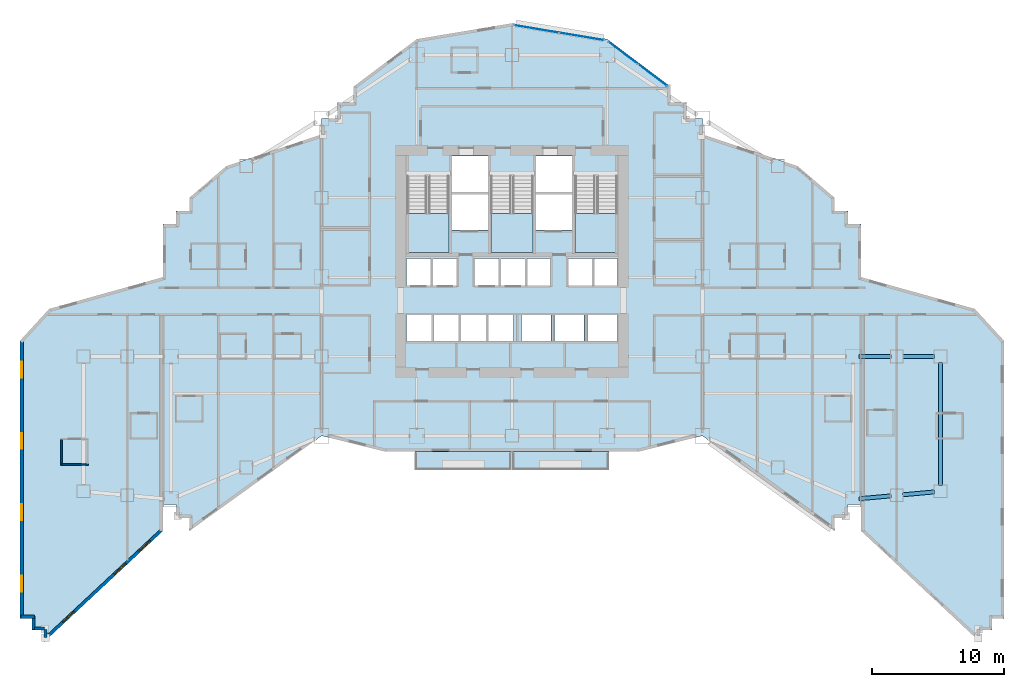
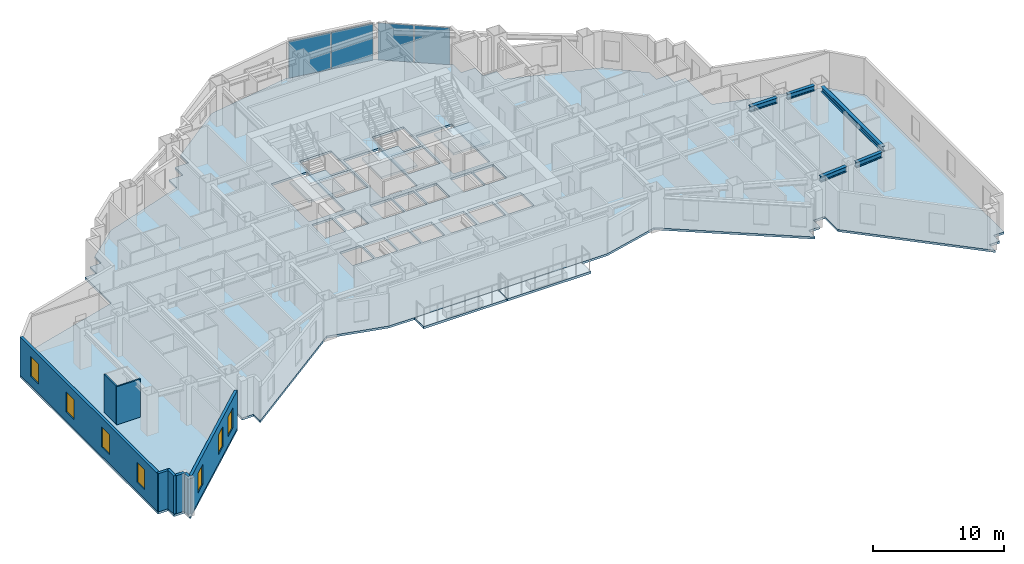
# One storey, part 6 of 16: 8 walls, 7 windows, 6 slabs, 5 beams, 4 plates, 7 openings, 5 elements without a shape of their own.
"""IFC4 building model written with IfcOpenShell, lengths in metres."""

from ifc_helpers import new_model, si_unit, direction, frame, frame_2d, origin, origin_2d, place, context, subcontext, project, spatial, polyline, rectangle, i_section, outline, extrude, material, layer, layer_set, material_profile, profile_set, type_object, element, fill, aggregate, save


model = new_model("IFC4")

# Units and contexts
model_context = context("Model", 3, precision=1e-05, world=origin(), true_north=direction((0.0, 1.0)))
body_context = subcontext(model_context, "Body", "Model", "MODEL_VIEW")
ifc_project = project(units=[si_unit("LENGTHUNIT", "METRE"), si_unit("AREAUNIT", "SQUARE_METRE"), si_unit("VOLUMEUNIT", "CUBIC_METRE"), si_unit("PLANEANGLEUNIT", "RADIAN"), si_unit("MASSUNIT", "GRAM", prefix="KILO")], contexts=[model_context])

# Site, building, storey
site_placement = place(None, origin())
site = spatial("IfcSite", under=ifc_project, at=site_placement, CompositionType="ELEMENT")
building_placement = place(site_placement, origin())
building = spatial("IfcBuilding", under=site, at=building_placement, Name="Haolan Belvedere Tower", CompositionType="ELEMENT")
storey_placement = place(building_placement, frame((0.0, 0.0, 85.60009765625)))
storey = spatial("IfcBuildingStorey", under=building, at=storey_placement, Name="L21", CompositionType="ELEMENT", Elevation=85.60009765625)

# Beams
ifc_material_1 = material(Name="Steel Q355B", Category="steel")
ifc_material_profile = material_profile(ifc_material_1, i_section(OverallWidth=0.300048828125, OverallDepth=0.488037109375, WebThickness=0.010986328125, FlangeThickness=0.01806640625, FilletRadius=0.02587890625, at=origin_2d()), Name="Steel Q355B")
ifc_profile_set = profile_set([ifc_material_profile], Name="Steel Q355B")
beam_type = type_object("IfcBeamType", Name="BM-HM488x300x11x18", PredefinedType="SPANDREL", material=ifc_profile_set)
beam_placement = place(storey_placement, frame((70.800048828125, 17.85009765625, 3.2958984375), z_axis=(0.0, 1.0, 0.0), x_axis=(-1.0, 0.0, 0.0)))
element("IfcBeam", 1, at=beam_placement, inside=storey, type_object=beam_type, Name="L21 spandrel girder MC-T5-SE-MC-T5-NE", PredefinedType="SPANDREL", context=body_context, shape_type="SweptSolid", body=[
    extrude(i_section(OverallWidth=0.300048828125, OverallDepth=0.488037109375, WebThickness=0.010986328125, FlangeThickness=0.01806640625, FilletRadius=0.02587890625, at=origin_2d()), origin(), (0.0, 0.0, 1.0), 9.2998046875),
])
for number, where, z_axis, x_axis, name in (
    (2, (64.648193359375, 16.8408203125, 3.2958984375), (0.995893206468, 0.090535746043, 0.0), (-0.090535746043, 0.995893206468, 0.0), "L21 spandrel girder MC-T4-SE-TC-T5-M1"),
    (3, (67.9482421875, 17.140625, 3.2958984375), (0.995884080761, 0.090636072764, 0.0), (-0.090636072764, 0.995884080761, 0.0), "L21 spandrel girder TC-T5-M1-MC-T5-SE"),
):
    element("IfcBeam", number, at=place(storey_placement, frame(where, z_axis=z_axis, x_axis=x_axis)), inside=storey, type_object=beam_type, Name=name, PredefinedType="SPANDREL", context=body_context, shape_type="SweptSolid", body=[
        extrude(i_section(OverallWidth=0.300048828125, OverallDepth=0.488037109375, WebThickness=0.010986328125, FlangeThickness=0.01806640625, FilletRadius=0.02587890625, at=origin_2d()), origin(), (0.0, 0.0, 1.0), 2.41357421875),
    ])
for number, where, z_axis, x_axis, name in (
    (4, (64.64990234375, 27.60009765625, 3.2958984375), (1.0, 0.0, 0.0), (0.0, 1.0, 0.0), "L21 spandrel girder MC-T4-ME-TC-T5-M2"),
    (5, (67.949951171875, 27.60009765625, 3.2958984375), (1.0, 0.0, 0.0), (0.0, 1.0, 0.0), "L21 spandrel girder TC-T5-M2-MC-T5-NE"),
):
    element("IfcBeam", number, at=place(storey_placement, frame(where, z_axis=z_axis, x_axis=x_axis)), inside=storey, type_object=beam_type, Name=name, PredefinedType="SPANDREL", context=body_context, shape_type="SweptSolid", body=[
        extrude(i_section(OverallWidth=0.300048828125, OverallDepth=0.488037109375, WebThickness=0.010986328125, FlangeThickness=0.01806640625, FilletRadius=0.02587890625, at=origin_2d()), origin(), (0.0, 0.0, 1.0), 2.400146484375),
    ])

# Curtain wall, plates
ifc_material_2 = material(Name="Anodised champagne-silver aluminium 6063-T6 and Low-E glass", Category="aluminium")
ifc_layer_1 = layer(ifc_material_2, 0.1650390625, Name="Anodised champagne-silver aluminium 6063-T6 and Low-E glass")
ifc_layer_set_1 = layer_set([ifc_layer_1], Name="Anodised champagne-silver aluminium 6063-T6 and Low-E glass")
curtain_wall_type = type_object("IfcCurtainWallType", Name="CW-SYS-02", PredefinedType="NOTDEFINED", material=ifc_layer_set_1)
curtain_wall_1_placement = place(storey_placement, origin())
curtain_wall_1 = element("IfcCurtainWall", 6, at=curtain_wall_1_placement, inside=storey, type_object=curtain_wall_type, Name="L21 CW-SYS-02 ribbon curtain wall 41.1", PredefinedType="NOTDEFINED")
ifc_material_3 = material(Name="Double silver Low-E laminated insulating glass", Category="glass")
ifc_layer_2 = layer(ifc_material_3, 0.02587890625, Name="Double silver Low-E laminated insulating glass")
ifc_layer_set_2 = layer_set([ifc_layer_2], Name="Double silver Low-E laminated insulating glass")
plate_type = type_object("IfcPlateType", Name="CW-SYS-02-PNL", PredefinedType="CURTAIN_PANEL", material=ifc_layer_set_2)
plate_1_placement = place(storey_placement, frame((49.02978515625, 48.877685546875, 0.05517578125), z_axis=(0.0, 0.0, 1.0), x_axis=(-0.800004262313, 0.599994316874, 0.0)))
plate_1 = element("IfcPlate", 7, at=plate_1_placement, type_object=plate_type, Name="CW-02 panel 1.1", PredefinedType="CURTAIN_PANEL", context=body_context, shape_type="SweptSolid", body=[
    extrude(rectangle(XDim=2.725341796875, YDim=0.02587890625, at=origin_2d()), origin(), (0.0, 0.0, 1.0), 3.429931640625),
])
plate_2_placement = place(storey_placement, frame((46.801513671875, 50.548828125, 0.05517578125), z_axis=(0.0, 0.0, 1.0), x_axis=(-0.800004262313, 0.599994316874, 0.0)))
plate_2 = element("IfcPlate", 8, at=plate_2_placement, type_object=plate_type, Name="CW-02 panel 2.1", PredefinedType="CURTAIN_PANEL", context=body_context, shape_type="SweptSolid", body=[
    extrude(rectangle(XDim=2.725341796875, YDim=0.02587890625, at=origin_2d()), origin(), (0.0, 0.0, 1.0), 3.429931640625),
])
aggregate(curtain_wall_1, [plate_1, plate_2])

curtain_wall_2_placement = place(storey_placement, origin())
curtain_wall_2 = element("IfcCurtainWall", 9, at=curtain_wall_2_placement, inside=storey, type_object=curtain_wall_type, Name="L21 CW-SYS-02 ribbon curtain wall 42.1", PredefinedType="NOTDEFINED")
plate_3_placement = place(storey_placement, frame((43.6796875, 51.79833984375, 0.05517578125), z_axis=(0.0, 0.0, 1.0), x_axis=(-0.9863931483, 0.16440364043, 0.0)))
plate_3 = element("IfcPlate", 10, at=plate_3_placement, type_object=plate_type, Name="CW-02 panel 1.1", PredefinedType="CURTAIN_PANEL", context=body_context, shape_type="SweptSolid", body=[
    extrude(rectangle(XDim=3.39501953125, YDim=0.02587890625, at=origin_2d()), origin(), (0.0, 0.0, 1.0), 3.429931640625),
])
plate_4_placement = place(storey_placement, frame((40.271728515625, 52.366455078125, 0.05517578125), z_axis=(0.0, 0.0, 1.0), x_axis=(-0.9863931483, 0.16440364043, 0.0)))
plate_4 = element("IfcPlate", 11, at=plate_4_placement, type_object=plate_type, Name="CW-02 panel 2.1", PredefinedType="CURTAIN_PANEL", context=body_context, shape_type="SweptSolid", body=[
    extrude(rectangle(XDim=3.39501953125, YDim=0.02587890625, at=origin_2d()), origin(), (0.0, 0.0, 1.0), 3.429931640625),
])
aggregate(curtain_wall_2, [plate_3, plate_4])

# Slabs
ifc_material_4 = material(Name="Concrete C40/50", Category="concrete")
ifc_layer_3 = layer(ifc_material_4, 0.2099609375, Name="Concrete C40/50")
ifc_layer_set_3 = layer_set([ifc_layer_3], Name="Concrete C40/50")
slab_type_1 = type_object("IfcSlabType", Name="SL-BAL-210", PredefinedType="FLOOR", material=ifc_layer_set_3)
slab_1_placement = place(storey_placement, frame((0.0, 0.0, -0.22998046875)))
element("IfcSlab", 12, at=slab_1_placement, inside=storey, type_object=slab_type_1, Name="L21 structural tree-planter balcony slab BAL-L21-S1", PredefinedType="FLOOR", context=body_context, shape_type="SweptSolid", body=[
    extrude(outline(polyline([(31.050048828125, 19.02001953125), (38.3798828125, 19.02001953125), (38.3798828125, 20.39990234375), (31.050048828125, 20.39990234375), (31.050048828125, 19.02001953125)])), origin(), (0.0, 0.0, 1.0), 0.2099609375),
])
slab_2_placement = place(storey_placement, frame((0.0, 0.0, -0.22998046875)))
element("IfcSlab", 13, at=slab_2_placement, inside=storey, type_object=slab_type_1, Name="L21 structural tree-planter balcony slab BAL-L21-S2", PredefinedType="FLOOR", context=body_context, shape_type="SweptSolid", body=[
    extrude(outline(polyline([(38.419921875, 19.02001953125), (45.75, 19.02001953125), (45.75, 20.39990234375), (38.419921875, 20.39990234375), (38.419921875, 19.02001953125)])), origin(), (0.0, 0.0, 1.0), 0.2099609375),
])
ifc_layer_4 = layer(ifc_material_4, 0.199951171875, Name="Concrete C40/50")
ifc_layer_set_4 = layer_set([ifc_layer_4], Name="Concrete C40/50")
slab_type_2 = type_object("IfcSlabType", Name="SL-FLR-200", PredefinedType="FLOOR", material=ifc_layer_set_4)
slab_3_placement = place(storey_placement, frame((0.0, 0.0, -0.2001953125)))
element("IfcSlab", 14, at=slab_3_placement, inside=storey, type_object=slab_type_2, Name="L21 structural floor slab", PredefinedType="FLOOR", context=body_context, shape_type="SweptSolid", body=[
    extrude(outline(polyline([(1.199951171875, 28.800048828125), (1.199951171875, 8.39990234375), (1.199951171875, 7.800048828125), (2.10009765625, 7.800048828125), (2.10009765625, 6.89990234375), (3.0, 6.89990234375), (3.0, 6.0), (12.0, 14.39990234375), (12.0, 16.39990234375), (13.0, 16.39990234375), (13.0, 15.39990234375), (14.0, 15.39990234375), (14.0, 14.39990234375), (24.0, 21.60009765625), (28.800048828125, 20.39990234375), (48.0, 20.39990234375), (52.800048828125, 21.60009765625), (62.800048828125, 14.39990234375), (62.800048828125, 15.39990234375), (63.800048828125, 15.39990234375), (63.800048828125, 16.39990234375), (64.800048828125, 16.39990234375), (64.800048828125, 14.39990234375), (73.800048828125, 6.0), (73.800048828125, 6.89990234375), (74.699951171875, 6.89990234375), (74.699951171875, 7.800048828125), (75.60009765625, 7.800048828125), (75.60009765625, 28.800048828125), (73.39990234375, 31.199951171875), (64.800048828125, 33.60009765625), (64.800048828125, 37.60009765625), (63.800048828125, 37.60009765625), (63.800048828125, 38.60009765625), (62.800048828125, 38.60009765625), (62.800048828125, 39.60009765625), (60.0, 42.0), (52.800048828125, 44.39990234375), (52.800048828125, 45.60009765625), (51.60009765625, 45.60009765625), (51.60009765625, 46.800048828125), (50.39990234375, 46.800048828125), (50.39990234375, 48.0), (45.60009765625, 51.60009765625), (38.39990234375, 52.800048828125), (31.199951171875, 51.60009765625), (26.39990234375, 48.0), (26.39990234375, 46.800048828125), (25.199951171875, 46.800048828125), (25.199951171875, 45.60009765625), (24.0, 45.60009765625), (24.0, 44.39990234375), (16.800048828125, 42.0), (14.0, 39.60009765625), (14.0, 38.60009765625), (13.0, 38.60009765625), (13.0, 37.60009765625), (12.0, 37.60009765625), (12.0, 33.60009765625), (3.39990234375, 31.199951171875), (1.199951171875, 28.800048828125)]), holes=[polyline([(30.449951171875, 41.22998046875), (30.449951171875, 35.449951171875), (33.6298828125, 35.449951171875), (33.6298828125, 41.22998046875), (30.449951171875, 41.22998046875)]), polyline([(36.81005859375, 41.22998046875), (36.81005859375, 35.449951171875), (39.989990234375, 35.449951171875), (39.989990234375, 41.22998046875), (36.81005859375, 41.22998046875)]), polyline([(43.169921875, 41.22998046875), (43.169921875, 35.449951171875), (46.35009765625, 35.449951171875), (46.35009765625, 41.22998046875), (43.169921875, 41.22998046875)]), polyline([(33.830078125, 40.050048828125), (36.610107421875, 40.050048828125), (36.610107421875, 42.75), (33.830078125, 42.75), (33.830078125, 40.050048828125)]), polyline([(33.830078125, 37.14990234375), (36.610107421875, 37.14990234375), (36.610107421875, 39.85009765625), (33.830078125, 39.85009765625), (33.830078125, 37.14990234375)]), polyline([(40.18994140625, 40.050048828125), (42.969970703125, 40.050048828125), (42.969970703125, 42.75), (40.18994140625, 42.75), (40.18994140625, 40.050048828125)]), polyline([(40.18994140625, 37.14990234375), (42.969970703125, 37.14990234375), (42.969970703125, 39.85009765625), (40.18994140625, 39.85009765625), (40.18994140625, 37.14990234375)]), polyline([(30.419921875, 32.949951171875), (32.27001953125, 32.949951171875), (32.27001953125, 35.0), (30.419921875, 35.0), (30.419921875, 32.949951171875)]), polyline([(32.409912109375, 32.949951171875), (34.260009765625, 32.949951171875), (34.260009765625, 35.0), (32.409912109375, 35.0), (32.409912109375, 32.949951171875)]), polyline([(35.56005859375, 32.949951171875), (37.409912109375, 32.949951171875), (37.409912109375, 35.0), (35.56005859375, 35.0), (35.56005859375, 32.949951171875)]), polyline([(37.550048828125, 32.949951171875), (39.39990234375, 32.949951171875), (39.39990234375, 35.0), (37.550048828125, 35.0), (37.550048828125, 32.949951171875)]), polyline([(39.5400390625, 32.949951171875), (41.389892578125, 32.949951171875), (41.389892578125, 35.0), (39.5400390625, 35.0), (39.5400390625, 32.949951171875)]), polyline([(42.6201171875, 32.949951171875), (44.469970703125, 32.949951171875), (44.469970703125, 35.0), (42.6201171875, 35.0), (42.6201171875, 32.949951171875)]), polyline([(44.580078125, 32.949951171875), (46.3798828125, 32.949951171875), (46.3798828125, 35.0), (44.580078125, 35.0), (44.580078125, 32.949951171875)]), polyline([(30.419921875, 28.75), (32.320068359375, 28.75), (32.320068359375, 30.75), (30.419921875, 30.75), (30.419921875, 28.75)]), polyline([(32.47998046875, 28.75), (34.3798828125, 28.75), (34.3798828125, 30.75), (32.47998046875, 30.75), (32.47998046875, 28.75)]), polyline([(34.5400390625, 28.75), (36.43994140625, 28.75), (36.43994140625, 30.75), (34.5400390625, 30.75), (34.5400390625, 28.75)]), polyline([(36.60009765625, 28.75), (38.5, 28.75), (38.5, 30.75), (36.60009765625, 30.75), (36.60009765625, 28.75)]), polyline([(39.10009765625, 28.75), (41.340087890625, 28.75), (41.340087890625, 30.75), (39.10009765625, 30.75), (39.10009765625, 28.75)]), polyline([(41.610107421875, 28.75), (43.85009765625, 28.75), (43.85009765625, 30.75), (41.610107421875, 30.75), (41.610107421875, 28.75)]), polyline([(44.1201171875, 28.75), (46.360107421875, 28.75), (46.360107421875, 30.75), (44.1201171875, 30.75), (44.1201171875, 28.75)])]), origin(), (0.0, 0.0, 1.0), 0.2001953125),
])

# Stair, slab
stair_type = type_object("IfcStairType", Name="STR-DL-22R-173", PredefinedType="HALF_TURN_STAIR", material=ifc_material_4)
stair_1_placement = place(storey_placement, origin())
stair_1 = element("IfcStair", 15, at=stair_1_placement, inside=storey, type_object=stair_type, Name="L21 Smokeproof Core Exit Stair ST1", PredefinedType="HALF_TURN_STAIR")
ifc_layer_5 = layer(ifc_material_4, 0.199951171875, Name="Concrete C40/50")
ifc_layer_set_5 = layer_set([ifc_layer_5], Name="Concrete C40/50")
slab_type_3 = type_object("IfcSlabType", Name="SL-LAND-200", PredefinedType="LANDING", material=ifc_layer_set_5)
slab_4_placement = place(storey_placement, frame((0.0, 0.0, 1.699951171875)))
slab_4 = element("IfcSlab", 16, at=slab_4_placement, type_object=slab_type_3, Name="ST1 landing 1", PredefinedType="LANDING", context=body_context, shape_type="SweptSolid", body=[
    extrude(outline(polyline([(30.449951171875, 38.429931640625), (30.449951171875, 35.449951171875), (33.6298828125, 35.449951171875), (33.6298828125, 38.429931640625), (30.449951171875, 38.429931640625)])), origin(), (0.0, 0.0, 1.0), 0.199951171875),
])
aggregate(stair_1, [slab_4])

stair_2_placement = place(storey_placement, origin())
stair_2 = element("IfcStair", 17, at=stair_2_placement, inside=storey, type_object=stair_type, Name="L21 Smokeproof Core Exit Stair ST3", PredefinedType="HALF_TURN_STAIR")
slab_5_placement = place(storey_placement, frame((0.0, 0.0, 1.699951171875)))
slab_5 = element("IfcSlab", 18, at=slab_5_placement, type_object=slab_type_3, Name="ST3 landing 1", PredefinedType="LANDING", context=body_context, shape_type="SweptSolid", body=[
    extrude(outline(polyline([(36.81005859375, 38.429931640625), (36.81005859375, 35.449951171875), (39.989990234375, 35.449951171875), (39.989990234375, 38.429931640625), (36.81005859375, 38.429931640625)])), origin(), (0.0, 0.0, 1.0), 0.199951171875),
])
aggregate(stair_2, [slab_5])

stair_3_placement = place(storey_placement, origin())
stair_3 = element("IfcStair", 19, at=stair_3_placement, inside=storey, type_object=stair_type, Name="L21 Smokeproof Core Exit Stair ST2", PredefinedType="HALF_TURN_STAIR")
slab_6_placement = place(storey_placement, frame((0.0, 0.0, 1.699951171875)))
slab_6 = element("IfcSlab", 20, at=slab_6_placement, type_object=slab_type_3, Name="ST2 landing 1", PredefinedType="LANDING", context=body_context, shape_type="SweptSolid", body=[
    extrude(outline(polyline([(43.169921875, 38.429931640625), (43.169921875, 35.449951171875), (46.35009765625, 35.449951171875), (46.35009765625, 38.429931640625), (43.169921875, 38.429931640625)])), origin(), (0.0, 0.0, 1.0), 0.199951171875),
])
aggregate(stair_3, [slab_6])

# Walls
ifc_material_5 = material(Name="Precast concrete C40/50", Category="concrete")
ifc_layer_6 = layer(ifc_material_5, 0.239990234375, Name="Precast concrete C40/50")
ifc_layer_set_6 = layer_set([ifc_layer_6], Name="Precast concrete C40/50")
wall_type_1 = type_object("IfcWallType", Name="WL-EXT-240", PredefinedType="SOLIDWALL", material=ifc_layer_set_6)
for number, where, z_axis, x_axis, name in (
    (21, (1.264892578125, 7.919921875, 0.0), (0.0, 0.0, 1.0), (1.0, 0.0, 0.0), "L21 pale-metal exterior spandrel wall 1.1"),
    (22, (2.219970703125, 7.97509765625, 0.0), (0.0, 0.0, 1.0), (0.0, -1.0, 0.0), "L21 pale-metal exterior spandrel wall 2.1"),
):
    element("IfcWall", number, at=place(storey_placement, frame(where, z_axis=z_axis, x_axis=x_axis)), inside=storey, type_object=wall_type_1, Name=name, PredefinedType="SOLIDWALL", context=body_context, shape_type="SweptSolid", body=[
        extrude(rectangle(XDim=1.010009765625, YDim=0.239990234375, at=frame_2d((0.5048828125, 0.0))), origin(), (0.0, 0.0, 1.0), 3.539794921875),
    ])
wall_1_placement = place(storey_placement, frame((2.300048828125, 7.02001953125, 0.0), z_axis=(0.0, 0.0, 1.0), x_axis=(1.0, 0.0, 0.0)))
element("IfcWall", 23, at=wall_1_placement, inside=storey, type_object=wall_type_1, Name="L21 pale-metal exterior spandrel wall 3.1", PredefinedType="SOLIDWALL", context=body_context, shape_type="SweptSolid", body=[
    extrude(rectangle(XDim=0.73486328125, YDim=0.239990234375, at=frame_2d((0.367431640625, 0.0))), origin(), (0.0, 0.0, 1.0), 3.539794921875),
])
wall_2_placement = place(storey_placement, frame((3.1201171875, 6.93505859375, 0.0), z_axis=(0.0, 0.0, 1.0), x_axis=(0.0, -1.0, 0.0)))
element("IfcWall", 24, at=wall_2_placement, inside=storey, type_object=wall_type_1, Name="L21 pale-metal exterior spandrel wall 4.1", PredefinedType="SOLIDWALL", context=body_context, shape_type="SweptSolid", body=[
    extrude(rectangle(XDim=0.573974609375, YDim=0.239990234375, at=frame_2d((0.287109375, 0.0))), origin(), (0.0, 0.0, 1.0), 3.539794921875),
])

# Wall, openings, windows
wall_3_placement = place(storey_placement, frame((3.269775390625, 6.416015625, 0.0), z_axis=(0.0, 0.0, 1.0), x_axis=(0.731064187858, 0.682308693505, 0.0)))
wall_3 = element("IfcWall", 25, at=wall_3_placement, inside=storey, type_object=wall_type_1, Name="L21 pale-metal exterior spandrel wall 5.1", PredefinedType="SOLIDWALL", context=body_context, shape_type="SweptSolid", body=[
    extrude(rectangle(XDim=11.83251953125, YDim=0.239990234375, at=frame_2d((5.916259765625, 0.0))), origin(), (0.0, 0.0, 1.0), 3.539794921875),
])
opening_1_placement = place(wall_3_placement, frame((1.60009765625, 0.0, 0.85009765625)))
opening_1 = element("IfcOpeningElement", 26, at=opening_1_placement, cuts=wall_3, Name="Opening W-01", PredefinedType="OPENING", context=body_context, shape_type="SweptSolid", body=[
    extrude(rectangle(XDim=1.199951171875, YDim=1.85009765625, at=frame_2d((0.60009765625, 0.925048828125))), frame((0.0, 0.1298828125, 0.0), z_axis=(0.0, -1.0, 0.0), x_axis=(1.0, 0.0, 0.0)), (0.0, 0.0, 1.0), 0.260009765625),
])
opening_2_placement = place(wall_3_placement, frame((6.91162109375, 0.0, 0.85009765625)))
opening_2 = element("IfcOpeningElement", 27, at=opening_2_placement, cuts=wall_3, Name="Opening W-01", PredefinedType="OPENING", context=body_context, shape_type="SweptSolid", body=[
    extrude(rectangle(XDim=1.199951171875, YDim=1.85009765625, at=frame_2d((0.60009765625, 0.925048828125))), frame((0.0, 0.1298828125, 0.0), z_axis=(0.0, -1.0, 0.0), x_axis=(1.0, 0.0, 0.0)), (0.0, 0.0, 1.0), 0.260009765625),
])
opening_3_placement = place(wall_3_placement, frame((9.4208984375, 0.0, 0.85009765625)))
opening_3 = element("IfcOpeningElement", 28, at=opening_3_placement, cuts=wall_3, Name="Opening W-01", PredefinedType="OPENING", context=body_context, shape_type="SweptSolid", body=[
    extrude(rectangle(XDim=1.199951171875, YDim=1.85009765625, at=frame_2d((0.60009765625, 0.925048828125))), frame((0.0, 0.1298828125, 0.0), z_axis=(0.0, -1.0, 0.0), x_axis=(1.0, 0.0, 0.0)), (0.0, 0.0, 1.0), 0.260009765625),
])
ifc_material_6 = material(Name="Anodised aluminium 6063-T6 and Low-E glass", Category="aluminium")
window_type = type_object("IfcWindowType", Name="WN-DECO-Z1", PartitioningType="SINGLE_PANEL", PredefinedType="WINDOW", material=ifc_material_6)
window_1_placement = place(opening_1_placement, origin())
window_1 = element("IfcWindow", 29, at=window_1_placement, inside=storey, type_object=window_type, Name="L21 Art Deco chevron window 1", OverallHeight=1.85009765625, OverallWidth=1.199951171875, PartitioningType="SINGLE_PANEL", PredefinedType="WINDOW", context=body_context, shape_type="SweptSolid", body=[
    extrude(rectangle(XDim=1.199951171875, YDim=1.85009765625, at=frame_2d((0.60009765625, 0.925048828125))), frame((0.0, 0.030029296875, 0.0), z_axis=(0.0, -1.0, 0.0), x_axis=(1.0, 0.0, 0.0)), (0.0, 0.0, 1.0), 0.06005859375),
])
fill(opening_1, window_1)
window_2_placement = place(opening_2_placement, origin())
window_2 = element("IfcWindow", 30, at=window_2_placement, inside=storey, type_object=window_type, Name="L21 Art Deco chevron window 2", OverallHeight=1.85009765625, OverallWidth=1.199951171875, PartitioningType="SINGLE_PANEL", PredefinedType="WINDOW", context=body_context, shape_type="SweptSolid", body=[
    extrude(rectangle(XDim=1.199951171875, YDim=1.85009765625, at=frame_2d((0.60009765625, 0.925048828125))), frame((0.0, 0.030029296875, 0.0), z_axis=(0.0, -1.0, 0.0), x_axis=(1.0, 0.0, 0.0)), (0.0, 0.0, 1.0), 0.06005859375),
])
fill(opening_2, window_2)
window_3_placement = place(opening_3_placement, origin())
window_3 = element("IfcWindow", 31, at=window_3_placement, inside=storey, type_object=window_type, Name="L21 Art Deco guestroom window 4", OverallHeight=1.85009765625, OverallWidth=1.199951171875, PartitioningType="SINGLE_PANEL", PredefinedType="WINDOW", context=body_context, shape_type="SweptSolid", body=[
    extrude(rectangle(XDim=1.199951171875, YDim=1.85009765625, at=frame_2d((0.60009765625, 0.925048828125))), frame((0.0, 0.030029296875, 0.0), z_axis=(0.0, -1.0, 0.0), x_axis=(1.0, 0.0, 0.0)), (0.0, 0.0, 1.0), 0.06005859375),
])
fill(opening_3, window_3)

wall_4_placement = place(storey_placement, frame((1.320068359375, 28.808349609375, 0.0), z_axis=(0.0, 0.0, 1.0), x_axis=(0.0, -1.0, 0.0)))
wall_4 = element("IfcWall", 32, at=wall_4_placement, inside=storey, type_object=wall_type_1, Name="L21 pale-metal exterior spandrel wall 59.1", PredefinedType="SOLIDWALL", context=body_context, shape_type="SweptSolid", body=[
    extrude(rectangle(XDim=20.943359375, YDim=0.239990234375, at=frame_2d((10.4716796875, 0.0))), origin(), (0.0, 0.0, 1.0), 3.539794921875),
])
opening_4_placement = place(wall_4_placement, frame((1.60009765625, 0.0, 0.85009765625)))
opening_4 = element("IfcOpeningElement", 33, at=opening_4_placement, cuts=wall_4, Name="Opening W-01", PredefinedType="OPENING", context=body_context, shape_type="SweptSolid", body=[
    extrude(rectangle(XDim=1.199951171875, YDim=1.85009765625, at=frame_2d((0.60009765625, 0.925048828125))), frame((0.0, 0.1298828125, 0.0), z_axis=(0.0, -1.0, 0.0), x_axis=(1.0, 0.0, 0.0)), (0.0, 0.0, 1.0), 0.260009765625),
])
opening_5_placement = place(wall_4_placement, frame((7.0, 0.0, 0.85009765625)))
opening_5 = element("IfcOpeningElement", 34, at=opening_5_placement, cuts=wall_4, Name="Opening W-01", PredefinedType="OPENING", context=body_context, shape_type="SweptSolid", body=[
    extrude(rectangle(XDim=1.199951171875, YDim=1.85009765625, at=frame_2d((0.60009765625, 0.925048828125))), frame((0.0, 0.1298828125, 0.0), z_axis=(0.0, -1.0, 0.0), x_axis=(1.0, 0.0, 0.0)), (0.0, 0.0, 1.0), 0.260009765625),
])
opening_6_placement = place(wall_4_placement, frame((12.39990234375, 0.0, 0.85009765625)))
opening_6 = element("IfcOpeningElement", 35, at=opening_6_placement, cuts=wall_4, Name="Opening W-01", PredefinedType="OPENING", context=body_context, shape_type="SweptSolid", body=[
    extrude(rectangle(XDim=1.199951171875, YDim=1.85009765625, at=frame_2d((0.60009765625, 0.925048828125))), frame((0.0, 0.1298828125, 0.0), z_axis=(0.0, -1.0, 0.0), x_axis=(1.0, 0.0, 0.0)), (0.0, 0.0, 1.0), 0.260009765625),
])
opening_7_placement = place(wall_4_placement, frame((17.800048828125, 0.0, 0.85009765625)))
opening_7 = element("IfcOpeningElement", 36, at=opening_7_placement, cuts=wall_4, Name="Opening W-01", PredefinedType="OPENING", context=body_context, shape_type="SweptSolid", body=[
    extrude(rectangle(XDim=1.199951171875, YDim=1.85009765625, at=frame_2d((0.60009765625, 0.925048828125))), frame((0.0, 0.1298828125, 0.0), z_axis=(0.0, -1.0, 0.0), x_axis=(1.0, 0.0, 0.0)), (0.0, 0.0, 1.0), 0.260009765625),
])
window_4_placement = place(opening_4_placement, origin())
window_4 = element("IfcWindow", 37, at=window_4_placement, inside=storey, type_object=window_type, Name="L21 Art Deco chevron window 1", OverallHeight=1.85009765625, OverallWidth=1.199951171875, PartitioningType="SINGLE_PANEL", PredefinedType="WINDOW", context=body_context, shape_type="SweptSolid", body=[
    extrude(rectangle(XDim=1.199951171875, YDim=1.85009765625, at=frame_2d((0.60009765625, 0.925048828125))), frame((0.0, 0.030029296875, 0.0), z_axis=(0.0, -1.0, 0.0), x_axis=(1.0, 0.0, 0.0)), (0.0, 0.0, 1.0), 0.06005859375),
])
fill(opening_4, window_4)
window_5_placement = place(opening_5_placement, origin())
window_5 = element("IfcWindow", 38, at=window_5_placement, inside=storey, type_object=window_type, Name="L21 Art Deco chevron window 2", OverallHeight=1.85009765625, OverallWidth=1.199951171875, PartitioningType="SINGLE_PANEL", PredefinedType="WINDOW", context=body_context, shape_type="SweptSolid", body=[
    extrude(rectangle(XDim=1.199951171875, YDim=1.85009765625, at=frame_2d((0.60009765625, 0.925048828125))), frame((0.0, 0.030029296875, 0.0), z_axis=(0.0, -1.0, 0.0), x_axis=(1.0, 0.0, 0.0)), (0.0, 0.0, 1.0), 0.06005859375),
])
fill(opening_5, window_5)
window_6_placement = place(opening_6_placement, origin())
window_6 = element("IfcWindow", 39, at=window_6_placement, inside=storey, type_object=window_type, Name="L21 Art Deco chevron window 3", OverallHeight=1.85009765625, OverallWidth=1.199951171875, PartitioningType="SINGLE_PANEL", PredefinedType="WINDOW", context=body_context, shape_type="SweptSolid", body=[
    extrude(rectangle(XDim=1.199951171875, YDim=1.85009765625, at=frame_2d((0.60009765625, 0.925048828125))), frame((0.0, 0.030029296875, 0.0), z_axis=(0.0, -1.0, 0.0), x_axis=(1.0, 0.0, 0.0)), (0.0, 0.0, 1.0), 0.06005859375),
])
fill(opening_6, window_6)
window_7_placement = place(opening_7_placement, origin())
window_7 = element("IfcWindow", 40, at=window_7_placement, inside=storey, type_object=window_type, Name="L21 Art Deco chevron window 4", OverallHeight=1.85009765625, OverallWidth=1.199951171875, PartitioningType="SINGLE_PANEL", PredefinedType="WINDOW", context=body_context, shape_type="SweptSolid", body=[
    extrude(rectangle(XDim=1.199951171875, YDim=1.85009765625, at=frame_2d((0.60009765625, 0.925048828125))), frame((0.0, 0.030029296875, 0.0), z_axis=(0.0, -1.0, 0.0), x_axis=(1.0, 0.0, 0.0)), (0.0, 0.0, 1.0), 0.06005859375),
])
fill(opening_7, window_7)

# Walls
ifc_material_7 = material(Name="Moisture-resistant gypsum tile partition", Category="masonry")
ifc_layer_7 = layer(ifc_material_7, 0.1201171875, Name="Moisture-resistant gypsum tile partition")
ifc_layer_set_7 = layer_set([ifc_layer_7], Name="Moisture-resistant gypsum tile partition")
wall_type_2 = type_object("IfcWallType", Name="WL-WET-120", PredefinedType="PARTITIONING", material=ifc_layer_set_7)
wall_5_placement = place(storey_placement, frame((4.264892578125, 19.444091796875, 0.0), z_axis=(0.0, 0.0, 1.0), x_axis=(1.0, 0.0, 0.0)))
element("IfcWall", 41, at=wall_5_placement, inside=storey, type_object=wall_type_2, Name="L21 interior partition IW-L21-T1S1-BS", PredefinedType="PARTITIONING", context=body_context, shape_type="SweptSolid", body=[
    extrude(rectangle(XDim=2.10009765625, YDim=0.1201171875, at=frame_2d((1.050048828125, 0.0))), origin(), (0.0, 0.0, 1.0), 3.539794921875),
])
wall_6_placement = place(storey_placement, frame((4.324951171875, 19.489013671875, 0.0), z_axis=(0.0, 0.0, 1.0), x_axis=(0.0, 1.0, 0.0)))
element("IfcWall", 42, at=wall_6_placement, inside=storey, type_object=wall_type_2, Name="L21 interior partition IW-L21-T1S1-BW", PredefinedType="PARTITIONING", context=body_context, shape_type="SweptSolid", body=[
    extrude(rectangle(XDim=1.830078125, YDim=0.1201171875, at=frame_2d((0.9150390625, 0.0))), origin(), (0.0, 0.0, 1.0), 3.539794921875),
])

save(model, "model.ifc")
